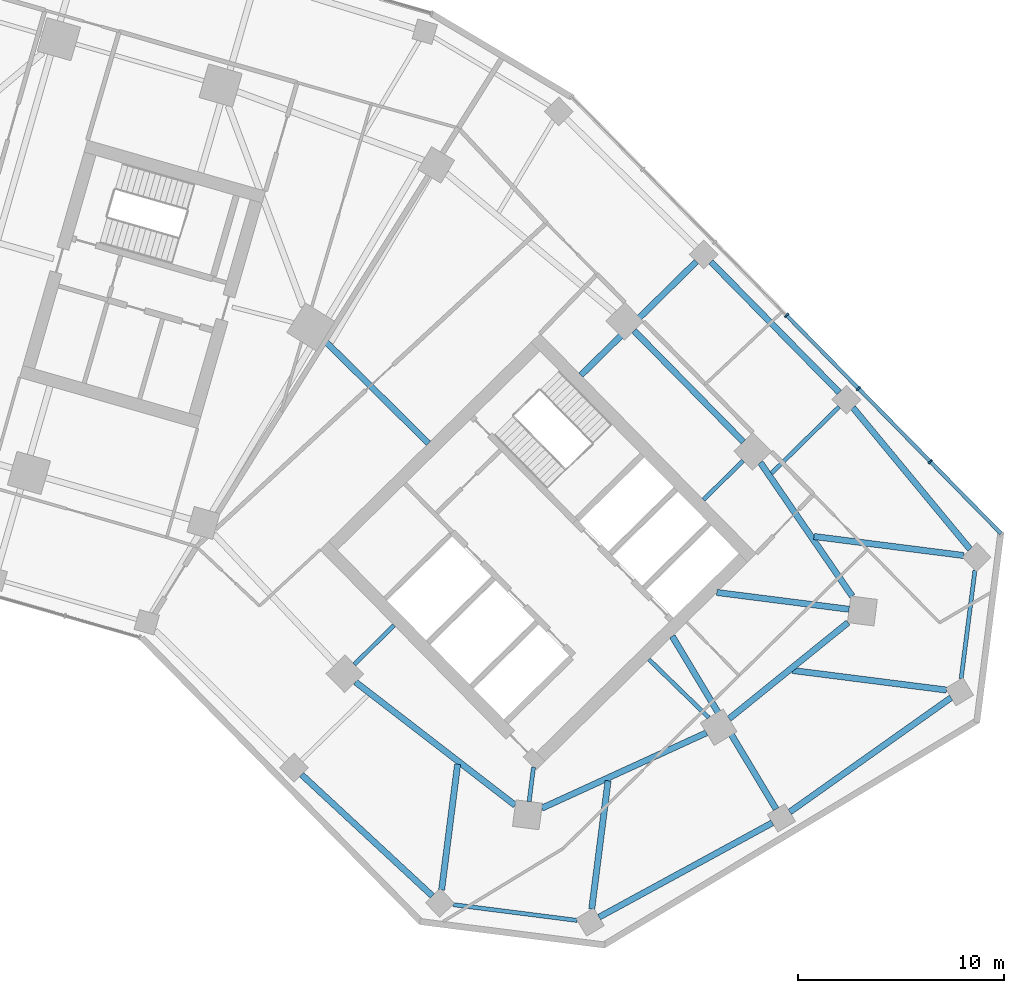
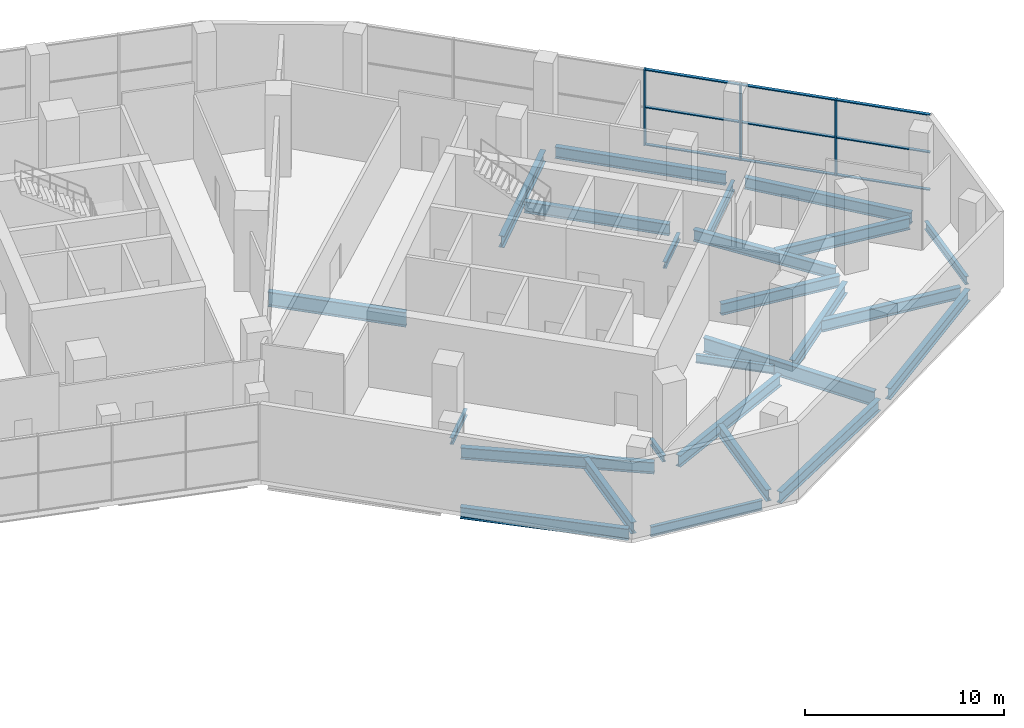
# One storey, part 6 of 18: 25 beams, 12 members, 1 element without a shape of its own.
"""IFC4 building model written with IfcOpenShell, lengths in metres."""

from ifc_helpers import new_model, si_unit, direction, frame, origin, origin_2d, place, context, subcontext, project, spatial, rectangle, i_section, extrude, material, material_profile, profile_set, type_object, element, aggregate, save


model = new_model("IFC4")

# Units and contexts
model_context = context("Model", 3, precision=1e-05, world=origin(), true_north=direction((0.0, 1.0)))
body_context = subcontext(model_context, "Body", "Model", "MODEL_VIEW")
ifc_project = project(units=[si_unit("LENGTHUNIT", "METRE"), si_unit("AREAUNIT", "SQUARE_METRE"), si_unit("VOLUMEUNIT", "CUBIC_METRE"), si_unit("PLANEANGLEUNIT", "RADIAN"), si_unit("MASSUNIT", "GRAM", prefix="KILO")], contexts=[model_context])

# Site, building, storey
site_placement = place(None, origin())
site = spatial("IfcSite", under=ifc_project, at=site_placement, CompositionType="ELEMENT")
building_placement = place(site_placement, origin())
building = spatial("IfcBuilding", under=site, at=building_placement, Name="Binnacle Exchange Tower", CompositionType="ELEMENT")
storey_placement = place(building_placement, frame((0.0, 0.0, 11.5)))
storey = spatial("IfcBuildingStorey", under=building, at=storey_placement, Name="L02", CompositionType="ELEMENT", Elevation=11.5)

# Curtain wall, members
ifc_material_1 = material(Name="Bronze anodised aluminium frame", Category="aluminium")
curtain_wall_type = type_object("IfcCurtainWallType", Name="External wall - curtain wall north entrance", PredefinedType="NOTDEFINED", material=ifc_material_1)
curtain_wall_placement = place(storey_placement, origin())
curtain_wall = element("IfcCurtainWall", 1, at=curtain_wall_placement, inside=storey, type_object=curtain_wall_type, Name="External wall curtain wall CW2-P12 L02", PredefinedType="NOTDEFINED")
ifc_material_profile_1 = material_profile(ifc_material_1, rectangle(XDim=0.25, YDim=0.080078125, at=origin_2d()), Name="AL 80x250")
ifc_profile_set_1 = profile_set([ifc_material_profile_1], Name="Bronze anodised aluminium frame")
member_type_1 = type_object("IfcMemberType", Name="CW2 MULLION 80x250", PredefinedType="MULLION", material=ifc_profile_set_1)
member_1_placement = place(storey_placement, frame((61.101318359375, 44.841796875, 0.0), z_axis=(0.0, 0.0, 1.0), x_axis=(-0.713250360623, -0.70090935439, 0.0)))
member_1 = element("IfcMember", 2, at=member_1_placement, type_object=member_type_1, Name="CW2-P12 mullion 2", PredefinedType="MULLION", context=body_context, shape_type="SweptSolid", body=[
    extrude(rectangle(XDim=0.25, YDim=0.080078125, at=origin_2d()), origin(), (0.0, 0.0, 1.0), 4.64990234375),
])
member_2_placement = place(storey_placement, frame((57.609130859375, 48.3955078125, 0.0), z_axis=(0.0, 0.0, 1.0), x_axis=(-0.713250360623, -0.70090935439, 0.0)))
member_2 = element("IfcMember", 3, at=member_2_placement, type_object=member_type_1, Name="CW2-P12 mullion 3", PredefinedType="MULLION", context=body_context, shape_type="SweptSolid", body=[
    extrude(rectangle(XDim=0.25, YDim=0.080078125, at=origin_2d()), origin(), (0.0, 0.0, 1.0), 4.64990234375),
])
member_3_placement = place(storey_placement, frame((54.11669921875, 51.949462890625, 0.0), z_axis=(0.0, 0.0, 1.0), x_axis=(-0.713250360623, -0.70090935439, 0.0)))
member_3 = element("IfcMember", 4, at=member_3_placement, type_object=member_type_1, Name="CW2-P12 mullion 4", PredefinedType="MULLION", context=body_context, shape_type="SweptSolid", body=[
    extrude(rectangle(XDim=0.25, YDim=0.080078125, at=origin_2d()), origin(), (0.0, 0.0, 1.0), 4.64990234375),
])
ifc_material_profile_2 = material_profile(ifc_material_1, rectangle(XDim=0.179931640625, YDim=0.06005859375, at=origin_2d()), Name="AL 180x60")
ifc_profile_set_2 = profile_set([ifc_material_profile_2], Name="Bronze anodised aluminium frame")
member_type_2 = type_object("IfcMemberType", Name="CW2 TRANSOM 60x180", PredefinedType="USERDEFINED", material=ifc_profile_set_2)
member_4_placement = place(storey_placement, frame((64.53759765625, 41.344970703125, 0.030029296875), z_axis=(-0.700904224311, 0.713255401903, 0.0), x_axis=(-0.713255401903, -0.700904224311, 0.0)))
member_4 = element("IfcMember", 5, at=member_4_placement, type_object=member_type_2, Name="CW2-P12 transom 1.1", ObjectType="TRANSOM", PredefinedType="USERDEFINED", context=body_context, shape_type="SweptSolid", body=[
    extrude(rectangle(XDim=0.179931640625, YDim=0.06005859375, at=origin_2d()), origin(), (0.0, 0.0, 1.0), 4.862548828125),
])
member_5_placement = place(storey_placement, frame((64.53759765625, 41.344970703125, 2.324951171875), z_axis=(-0.700904224311, 0.713255401903, 0.0), x_axis=(-0.713255401903, -0.700904224311, 0.0)))
member_5 = element("IfcMember", 6, at=member_5_placement, type_object=member_type_2, Name="CW2-P12 transom 1.2", ObjectType="TRANSOM", PredefinedType="USERDEFINED", context=body_context, shape_type="SweptSolid", body=[
    extrude(rectangle(XDim=0.179931640625, YDim=0.06005859375, at=origin_2d()), origin(), (0.0, 0.0, 1.0), 4.862548828125),
])
member_6_placement = place(storey_placement, frame((64.53759765625, 41.344970703125, 4.6201171875), z_axis=(-0.700904224311, 0.713255401903, 0.0), x_axis=(-0.713255401903, -0.700904224311, 0.0)))
member_6 = element("IfcMember", 7, at=member_6_placement, type_object=member_type_2, Name="CW2-P12 transom 1.3", ObjectType="TRANSOM", PredefinedType="USERDEFINED", context=body_context, shape_type="SweptSolid", body=[
    extrude(rectangle(XDim=0.179931640625, YDim=0.06005859375, at=origin_2d()), origin(), (0.0, 0.0, 1.0), 4.862548828125),
])
member_7_placement = place(storey_placement, frame((61.0732421875, 44.870361328125, 0.030029296875), z_axis=(-0.700904445458, 0.713255184585, 0.0), x_axis=(-0.713255184585, -0.700904445458, 0.0)))
member_7 = element("IfcMember", 8, at=member_7_placement, type_object=member_type_2, Name="CW2-P12 transom 2.1", ObjectType="TRANSOM", PredefinedType="USERDEFINED", context=body_context, shape_type="SweptSolid", body=[
    extrude(rectangle(XDim=0.179931640625, YDim=0.06005859375, at=origin_2d()), origin(), (0.0, 0.0, 1.0), 4.90234375),
])
member_8_placement = place(storey_placement, frame((61.0732421875, 44.870361328125, 2.324951171875), z_axis=(-0.700904445458, 0.713255184585, 0.0), x_axis=(-0.713255184585, -0.700904445458, 0.0)))
member_8 = element("IfcMember", 9, at=member_8_placement, type_object=member_type_2, Name="CW2-P12 transom 2.2", ObjectType="TRANSOM", PredefinedType="USERDEFINED", context=body_context, shape_type="SweptSolid", body=[
    extrude(rectangle(XDim=0.179931640625, YDim=0.06005859375, at=origin_2d()), origin(), (0.0, 0.0, 1.0), 4.90234375),
])
member_9_placement = place(storey_placement, frame((61.0732421875, 44.870361328125, 4.6201171875), z_axis=(-0.700904445458, 0.713255184585, 0.0), x_axis=(-0.713255184585, -0.700904445458, 0.0)))
member_9 = element("IfcMember", 10, at=member_9_placement, type_object=member_type_2, Name="CW2-P12 transom 2.3", ObjectType="TRANSOM", PredefinedType="USERDEFINED", context=body_context, shape_type="SweptSolid", body=[
    extrude(rectangle(XDim=0.179931640625, YDim=0.06005859375, at=origin_2d()), origin(), (0.0, 0.0, 1.0), 4.90234375),
])
member_10_placement = place(storey_placement, frame((57.5810546875, 48.424072265625, 0.030029296875), z_axis=(-0.700904884139, 0.7132547535, 0.0), x_axis=(-0.7132547535, -0.700904884139, 0.0)))
member_10 = element("IfcMember", 11, at=member_10_placement, type_object=member_type_2, Name="CW2-P12 transom 3.1", ObjectType="TRANSOM", PredefinedType="USERDEFINED", context=body_context, shape_type="SweptSolid", body=[
    extrude(rectangle(XDim=0.179931640625, YDim=0.06005859375, at=origin_2d()), origin(), (0.0, 0.0, 1.0), 4.902587890625),
])
member_11_placement = place(storey_placement, frame((57.5810546875, 48.424072265625, 2.324951171875), z_axis=(-0.700904884139, 0.7132547535, 0.0), x_axis=(-0.7132547535, -0.700904884139, 0.0)))
member_11 = element("IfcMember", 12, at=member_11_placement, type_object=member_type_2, Name="CW2-P12 transom 3.2", ObjectType="TRANSOM", PredefinedType="USERDEFINED", context=body_context, shape_type="SweptSolid", body=[
    extrude(rectangle(XDim=0.179931640625, YDim=0.06005859375, at=origin_2d()), origin(), (0.0, 0.0, 1.0), 4.902587890625),
])
member_12_placement = place(storey_placement, frame((57.5810546875, 48.424072265625, 4.6201171875), z_axis=(-0.700904884139, 0.7132547535, 0.0), x_axis=(-0.7132547535, -0.700904884139, 0.0)))
member_12 = element("IfcMember", 13, at=member_12_placement, type_object=member_type_2, Name="CW2-P12 transom 3.3", ObjectType="TRANSOM", PredefinedType="USERDEFINED", context=body_context, shape_type="SweptSolid", body=[
    extrude(rectangle(XDim=0.179931640625, YDim=0.06005859375, at=origin_2d()), origin(), (0.0, 0.0, 1.0), 4.902587890625),
])
aggregate(curtain_wall, [member_1, member_2, member_3, member_4, member_5, member_6, member_7, member_8, member_9, member_10, member_11, member_12])

# Beams
ifc_material_2 = material(Name="Steel S355 (SHN355)", Category="steel")
ifc_material_profile_3 = material_profile(ifc_material_2, i_section(OverallWidth=0.200927734375, OverallDepth=0.506103515625, WebThickness=0.010986328125, FlangeThickness=0.01904296875, FilletRadius=0.02001953125, at=origin_2d()), Name="H 506x201x11x19")
ifc_profile_set_3 = profile_set([ifc_material_profile_3], Name="Steel S355 (SHN355)")
beam_type_1 = type_object("IfcBeamType", Name="Edge girder H 506x201x11x19 Steel S355 (SHN355)", PredefinedType="SPANDREL", material=ifc_profile_set_3)
beam_1_placement = place(storey_placement, frame((63.271728515625, 39.56591796875, -0.60302734375), z_axis=(-0.126220609822, -0.992002196397, 0.0), x_axis=(0.992002196397, -0.126220609822, 0.0)))
element("IfcBeam", 14, at=beam_1_placement, inside=storey, type_object=beam_type_1, Name="S:BM:edge:L02:075", PredefinedType="SPANDREL", context=body_context, shape_type="SweptSolid", body=[
    extrude(i_section(OverallWidth=0.200927734375, OverallDepth=0.506103515625, WebThickness=0.010986328125, FlangeThickness=0.01904296875, FilletRadius=0.02001953125, at=origin_2d()), origin(), (0.0, 0.0, 1.0), 5.319091796875),
])
ifc_material_profile_4 = material_profile(ifc_material_2, i_section(OverallWidth=0.200927734375, OverallDepth=0.60595703125, WebThickness=0.011962890625, FlangeThickness=0.02001953125, FilletRadius=0.02197265625, at=origin_2d()), Name="H 606x201x12x20")
ifc_profile_set_4 = profile_set([ifc_material_profile_4], Name="Steel S355 (SHN355)")
beam_type_2 = type_object("IfcBeamType", Name="Edge girder H 606x201x12x20 Steel S355 (SHN355)", PredefinedType="SPANDREL", material=ifc_profile_set_4)
beam_2_placement = place(storey_placement, frame((43.931884765625, 22.540283203125, -0.653076171875), z_axis=(-0.992003760978, 0.126208312743, 0.0), x_axis=(-0.126208312743, -0.992003760978, 0.0)))
element("IfcBeam", 15, at=beam_2_placement, inside=storey, type_object=beam_type_2, Name="S:BM:edge:L02:066", PredefinedType="SPANDREL", context=body_context, shape_type="SweptSolid", body=[
    extrude(i_section(OverallWidth=0.200927734375, OverallDepth=0.60595703125, WebThickness=0.011962890625, FlangeThickness=0.02001953125, FilletRadius=0.02197265625, at=origin_2d()), origin(), (0.0, 0.0, 1.0), 6.081787109375),
])
ifc_material_profile_5 = material_profile(ifc_material_2, i_section(OverallWidth=0.300048828125, OverallDepth=0.699951171875, WebThickness=0.012939453125, FlangeThickness=0.02392578125, FilletRadius=0.028076171875, at=origin_2d()), Name="H 700x300x13x24")
ifc_profile_set_5 = profile_set([ifc_material_profile_5], Name="Steel S355 (SHN355)")
beam_type_3 = type_object("IfcBeamType", Name="Edge girder H 700x300x13x24 Steel S355 (SHN355)", PredefinedType="SPANDREL", material=ifc_profile_set_5)
beam_3_placement = place(storey_placement, frame((36.89990234375, 23.728515625, -0.699951171875), z_axis=(-0.733314595009, 0.679889479803, 0.0), x_axis=(-0.679889479803, -0.733314595009, 0.0)))
element("IfcBeam", 16, at=beam_3_placement, inside=storey, type_object=beam_type_3, Name="S:BM:edge:L02:062", PredefinedType="SPANDREL", context=body_context, shape_type="SweptSolid", body=[
    extrude(i_section(OverallWidth=0.300048828125, OverallDepth=0.699951171875, WebThickness=0.012939453125, FlangeThickness=0.02392578125, FilletRadius=0.028076171875, at=origin_2d()), origin(), (0.0, 0.0, 1.0), 8.67333984375),
])
beam_4_placement = place(storey_placement, frame((42.215576171875, 27.99365234375, -0.699951171875), z_axis=(0.909179052108, 0.416405392866, 0.0), x_axis=(-0.416405392866, 0.909179052108, 0.0)))
element("IfcBeam", 17, at=beam_4_placement, inside=storey, type_object=beam_type_3, Name="S:BM:edge:L02:064", PredefinedType="SPANDREL", context=body_context, shape_type="SweptSolid", body=[
    extrude(i_section(OverallWidth=0.300048828125, OverallDepth=0.699951171875, WebThickness=0.012939453125, FlangeThickness=0.02392578125, FilletRadius=0.028076171875, at=origin_2d()), origin(), (0.0, 0.0, 1.0), 8.801025390625),
])
beam_5_placement = place(storey_placement, frame((50.436279296875, 54.553466796875, -0.699951171875), z_axis=(0.700891088092, -0.713268310408, 0.0), x_axis=(0.713268310408, 0.700891088092, 0.0)))
element("IfcBeam", 18, at=beam_5_placement, inside=storey, type_object=beam_type_3, Name="S:BM:edge:L02:068", PredefinedType="SPANDREL", context=body_context, shape_type="SweptSolid", body=[
    extrude(i_section(OverallWidth=0.300048828125, OverallDepth=0.699951171875, WebThickness=0.012939453125, FlangeThickness=0.02392578125, FilletRadius=0.028076171875, at=origin_2d()), origin(), (0.0, 0.0, 1.0), 8.89599609375),
])
beam_6_placement = place(storey_placement, frame((52.010986328125, 45.802978515625, -0.699951171875), z_axis=(-0.700905226564, 0.713254417004, 0.0), x_axis=(-0.713254417004, -0.700905226564, 0.0)))
element("IfcBeam", 19, at=beam_6_placement, inside=storey, type_object=beam_type_3, Name="S:BM:edge:L02:070", PredefinedType="SPANDREL", context=body_context, shape_type="SweptSolid", body=[
    extrude(i_section(OverallWidth=0.300048828125, OverallDepth=0.699951171875, WebThickness=0.012939453125, FlangeThickness=0.02392578125, FilletRadius=0.028076171875, at=origin_2d()), origin(), (0.0, 0.0, 1.0), 7.57177734375),
])
beam_7_placement = place(storey_placement, frame((53.42431640625, 27.28369140625, -0.699951171875), z_axis=(-0.878284521439, -0.478138368468, 0.0), x_axis=(0.478138368468, -0.878284521439, 0.0)))
element("IfcBeam", 20, at=beam_7_placement, inside=storey, type_object=beam_type_3, Name="S:BM:edge:L02:071", PredefinedType="SPANDREL", context=body_context, shape_type="SweptSolid", body=[
    extrude(i_section(OverallWidth=0.300048828125, OverallDepth=0.699951171875, WebThickness=0.012939453125, FlangeThickness=0.02392578125, FilletRadius=0.028076171875, at=origin_2d()), origin(), (0.0, 0.0, 1.0), 9.588134765625),
])
beam_8_placement = place(storey_placement, frame((57.341796875, 47.46484375, -0.699951171875), z_axis=(0.63729683622, -0.770618415653, 0.0), x_axis=(0.770618415653, 0.63729683622, 0.0)))
element("IfcBeam", 21, at=beam_8_placement, inside=storey, type_object=beam_type_3, Name="S:BM:edge:L02:073", PredefinedType="SPANDREL", context=body_context, shape_type="SweptSolid", body=[
    extrude(i_section(OverallWidth=0.300048828125, OverallDepth=0.699951171875, WebThickness=0.012939453125, FlangeThickness=0.02392578125, FilletRadius=0.028076171875, at=origin_2d()), origin(), (0.0, 0.0, 1.0), 8.928955078125),
])
beam_9_placement = place(storey_placement, frame((62.111083984375, 33.36767578125, -0.699951171875), z_axis=(-0.815901600123, -0.578190780726, 0.0), x_axis=(0.578190780726, -0.815901600123, 0.0)))
element("IfcBeam", 22, at=beam_9_placement, inside=storey, type_object=beam_type_3, Name="S:BM:edge:L02:074", PredefinedType="SPANDREL", context=body_context, shape_type="SweptSolid", body=[
    extrude(i_section(OverallWidth=0.300048828125, OverallDepth=0.699951171875, WebThickness=0.012939453125, FlangeThickness=0.02392578125, FilletRadius=0.028076171875, at=origin_2d()), origin(), (0.0, 0.0, 1.0), 9.60693359375),
])
ifc_material_profile_6 = material_profile(ifc_material_2, i_section(OverallWidth=0.302001953125, OverallDepth=0.7080078125, WebThickness=0.014892578125, FlangeThickness=0.028076171875, FilletRadius=0.028076171875, at=origin_2d()), Name="H 708x302x15x28")
ifc_profile_set_6 = profile_set([ifc_material_profile_6], Name="Steel S355 (SHN355)")
beam_type_4 = type_object("IfcBeamType", Name="Edge girder H 708x302x15x28 Steel S355 (SHN355)", PredefinedType="SPANDREL", material=ifc_profile_set_6)
beam_10_placement = place(storey_placement, frame((33.160400390625, 34.12890625, -0.7041015625), z_axis=(0.791533490776, -0.611125791454, 0.0), x_axis=(0.611125791454, 0.791533490776, 0.0)))
element("IfcBeam", 23, at=beam_10_placement, inside=storey, type_object=beam_type_4, Name="S:BM:edge:L02:060", PredefinedType="SPANDREL", context=body_context, shape_type="SweptSolid", body=[
    extrude(i_section(OverallWidth=0.302001953125, OverallDepth=0.7080078125, WebThickness=0.014892578125, FlangeThickness=0.028076171875, FilletRadius=0.028076171875, at=origin_2d()), origin(), (0.0, 0.0, 1.0), 9.80712890625),
])
beam_11_placement = place(storey_placement, frame((51.322265625, 32.343505859375, -0.7041015625), z_axis=(0.777568489665, 0.628798253719, 0.0), x_axis=(-0.628798253719, 0.777568489665, 0.0)))
element("IfcBeam", 24, at=beam_11_placement, inside=storey, type_object=beam_type_4, Name="S:BM:edge:L02:069", PredefinedType="SPANDREL", context=body_context, shape_type="SweptSolid", body=[
    extrude(i_section(OverallWidth=0.302001953125, OverallDepth=0.7080078125, WebThickness=0.014892578125, FlangeThickness=0.028076171875, FilletRadius=0.028076171875, at=origin_2d()), origin(), (0.0, 0.0, 1.0), 7.428955078125),
])
beam_12_placement = place(storey_placement, frame((57.305419921875, 38.299072265625, -0.7041015625), z_axis=(-0.566409202341, 0.82412415054, 0.0), x_axis=(-0.82412415054, -0.566409202341, 0.0)))
element("IfcBeam", 25, at=beam_12_placement, inside=storey, type_object=beam_type_4, Name="S:BM:edge:L02:072", PredefinedType="SPANDREL", context=body_context, shape_type="SweptSolid", body=[
    extrude(i_section(OverallWidth=0.302001953125, OverallDepth=0.7080078125, WebThickness=0.014892578125, FlangeThickness=0.028076171875, FilletRadius=0.028076171875, at=origin_2d()), origin(), (0.0, 0.0, 1.0), 7.8828125),
])
ifc_material_profile_7 = material_profile(ifc_material_2, i_section(OverallWidth=0.199951171875, OverallDepth=0.39990234375, WebThickness=0.008056640625, FlangeThickness=0.012939453125, FilletRadius=0.01611328125, at=origin_2d()), Name="H 400x200x8x13")
ifc_profile_set_7 = profile_set([ifc_material_profile_7], Name="Steel S355 (SHN355)")
beam_type_5 = type_object("IfcBeamType", Name="Floor beam H 400x200x8x13 Steel S355 (SHN355)", PredefinedType="BEAM", material=ifc_profile_set_7)
beam_13_placement = place(storey_placement, frame((33.104736328125, 34.985595703125, -0.550048828125), z_axis=(0.713254209224, 0.700905438004, 0.0), x_axis=(-0.700905438004, 0.713254209224, 0.0)))
element("IfcBeam", 26, at=beam_13_placement, inside=storey, type_object=beam_type_5, Name="S:BM:cross:L02:114", PredefinedType="BEAM", context=body_context, shape_type="SweptSolid", body=[
    extrude(i_section(OverallWidth=0.199951171875, OverallDepth=0.39990234375, WebThickness=0.008056640625, FlangeThickness=0.012939453125, FilletRadius=0.01611328125, at=origin_2d()), origin(), (0.0, 0.0, 1.0), 2.70849609375),
])
beam_14_placement = place(storey_placement, frame((41.601806640625, 28.319580078125, -0.550048828125), z_axis=(0.126197116971, 0.992005185303, 0.0), x_axis=(-0.992005185303, 0.126197116971, 0.0)))
element("IfcBeam", 27, at=beam_14_placement, inside=storey, type_object=beam_type_5, Name="S:BM:cross:L02:118", PredefinedType="BEAM", context=body_context, shape_type="SweptSolid", body=[
    extrude(i_section(OverallWidth=0.199951171875, OverallDepth=0.39990234375, WebThickness=0.008056640625, FlangeThickness=0.012939453125, FilletRadius=0.01611328125, at=origin_2d()), origin(), (0.0, 0.0, 1.0), 1.68115234375),
])
beam_15_placement = place(storey_placement, frame((52.003173828125, 44.8837890625, -0.550048828125), z_axis=(-0.713254209224, -0.700905438004, 0.0), x_axis=(0.700905438004, -0.713254209224, 0.0)))
element("IfcBeam", 28, at=beam_15_placement, inside=storey, type_object=beam_type_5, Name="S:BM:cross:L02:122", PredefinedType="BEAM", context=body_context, shape_type="SweptSolid", body=[
    extrude(i_section(OverallWidth=0.199951171875, OverallDepth=0.39990234375, WebThickness=0.008056640625, FlangeThickness=0.012939453125, FilletRadius=0.01611328125, at=origin_2d()), origin(), (0.0, 0.0, 1.0), 2.70849609375),
])
ifc_material_profile_8 = material_profile(ifc_material_2, i_section(OverallWidth=0.199951171875, OverallDepth=0.60009765625, WebThickness=0.010986328125, FlangeThickness=0.01708984375, FilletRadius=0.02197265625, at=origin_2d()), Name="H 600x200x11x17")
ifc_profile_set_8 = profile_set([ifc_material_profile_8], Name="Steel S355 (SHN355)")
beam_type_6 = type_object("IfcBeamType", Name="Floor beam H 600x200x11x17 Steel S355 (SHN355)", PredefinedType="BEAM", material=ifc_profile_set_8)
beam_16_placement = place(storey_placement, frame((56.665283203125, 47.501220703125, -0.64990234375), z_axis=(-0.713253693622, -0.70090596269, 0.0), x_axis=(0.70090596269, -0.713253693622, 0.0)))
element("IfcBeam", 29, at=beam_16_placement, inside=storey, type_object=beam_type_6, Name="S:BM:cross:L02:124", PredefinedType="BEAM", context=body_context, shape_type="SweptSolid", body=[
    extrude(i_section(OverallWidth=0.199951171875, OverallDepth=0.60009765625, WebThickness=0.010986328125, FlangeThickness=0.01708984375, FilletRadius=0.02197265625, at=origin_2d()), origin(), (0.0, 0.0, 1.0), 4.60693359375),
])
ifc_material_profile_9 = material_profile(ifc_material_2, i_section(OverallWidth=0.300048828125, OverallDepth=0.699951171875, WebThickness=0.012939453125, FlangeThickness=0.02392578125, FilletRadius=0.028076171875, at=origin_2d()), Name="H 700x300x13x24")
ifc_profile_set_9 = profile_set([ifc_material_profile_9], Name="Steel S355 (SHN355)")
beam_type_7 = type_object("IfcBeamType", Name="Floor beam H 700x300x13x24 Steel S355 (SHN355)", PredefinedType="BEAM", material=ifc_profile_set_9)
beam_17_placement = place(storey_placement, frame((37.347412109375, 24.019775390625, -0.699951171875), z_axis=(0.126189771205, 0.992006119761, 0.0), x_axis=(-0.992006119761, 0.126189771205, 0.0)))
element("IfcBeam", 30, at=beam_17_placement, inside=storey, type_object=beam_type_7, Name="S:BM:cross:L02:117", PredefinedType="BEAM", context=body_context, shape_type="SweptSolid", body=[
    extrude(i_section(OverallWidth=0.300048828125, OverallDepth=0.699951171875, WebThickness=0.012939453125, FlangeThickness=0.02392578125, FilletRadius=0.028076171875, at=origin_2d()), origin(), (0.0, 0.0, 1.0), 6.162109375),
])
beam_18_placement = place(storey_placement, frame((44.643798828125, 23.091552734375, -0.699951171875), z_axis=(0.126227881038, 0.992001271193, 0.0), x_axis=(-0.992001271193, 0.126227881038, 0.0)))
element("IfcBeam", 31, at=beam_18_placement, inside=storey, type_object=beam_type_7, Name="S:BM:cross:L02:120", PredefinedType="BEAM", context=body_context, shape_type="SweptSolid", body=[
    extrude(i_section(OverallWidth=0.300048828125, OverallDepth=0.699951171875, WebThickness=0.012939453125, FlangeThickness=0.02392578125, FilletRadius=0.028076171875, at=origin_2d()), origin(), (0.0, 0.0, 1.0), 6.287841796875),
])
beam_19_placement = place(storey_placement, frame((57.154296875, 37.6630859375, -0.699951171875), z_axis=(-0.992006658356, 0.126185537116, 0.0), x_axis=(-0.126185537116, -0.992006658356, 0.0)))
element("IfcBeam", 32, at=beam_19_placement, inside=storey, type_object=beam_type_7, Name="S:BM:cross:L02:125", PredefinedType="BEAM", context=body_context, shape_type="SweptSolid", body=[
    extrude(i_section(OverallWidth=0.300048828125, OverallDepth=0.699951171875, WebThickness=0.012939453125, FlangeThickness=0.02392578125, FilletRadius=0.028076171875, at=origin_2d()), origin(), (0.0, 0.0, 1.0), 6.4814453125),
])
ifc_material_profile_10 = material_profile(ifc_material_2, i_section(OverallWidth=0.302001953125, OverallDepth=0.7080078125, WebThickness=0.014892578125, FlangeThickness=0.028076171875, FilletRadius=0.028076171875, at=origin_2d()), Name="H 708x302x15x28")
ifc_profile_set_10 = profile_set([ifc_material_profile_10], Name="Steel S355 (SHN355)")
beam_type_8 = type_object("IfcBeamType", Name="Floor beam H 708x302x15x28 Steel S355 (SHN355)", PredefinedType="BEAM", material=ifc_profile_set_10)
beam_20_placement = place(storey_placement, frame((49.72900390625, 54.5595703125, -0.7041015625), z_axis=(-0.713254513072, -0.700905128803, 0.0), x_axis=(0.700905128803, -0.713254513072, 0.0)))
element("IfcBeam", 33, at=beam_20_placement, inside=storey, type_object=beam_type_8, Name="S:BM:cross:L02:121", PredefinedType="BEAM", context=body_context, shape_type="SweptSolid", body=[
    extrude(i_section(OverallWidth=0.302001953125, OverallDepth=0.7080078125, WebThickness=0.014892578125, FlangeThickness=0.028076171875, FilletRadius=0.028076171875, at=origin_2d()), origin(), (0.0, 0.0, 1.0), 7.8681640625),
])
beam_21_placement = place(storey_placement, frame((61.888427734375, 33.73779296875, -0.7041015625), z_axis=(-0.992002917096, 0.12621494552, 0.0), x_axis=(-0.12621494552, -0.992002917096, 0.0)))
element("IfcBeam", 34, at=beam_21_placement, inside=storey, type_object=beam_type_8, Name="S:BM:cross:L02:126", PredefinedType="BEAM", context=body_context, shape_type="SweptSolid", body=[
    extrude(i_section(OverallWidth=0.302001953125, OverallDepth=0.7080078125, WebThickness=0.014892578125, FlangeThickness=0.028076171875, FilletRadius=0.028076171875, at=origin_2d()), origin(), (0.0, 0.0, 1.0), 7.551513671875),
])
beam_22_placement = place(storey_placement, frame((62.720458984375, 40.277587890625, -0.7041015625), z_axis=(-0.992000413131, 0.126234624202, 0.0), x_axis=(-0.126234624202, -0.992000413131, 0.0)))
element("IfcBeam", 35, at=beam_22_placement, inside=storey, type_object=beam_type_8, Name="S:BM:cross:L02:127", PredefinedType="BEAM", context=body_context, shape_type="SweptSolid", body=[
    extrude(i_section(OverallWidth=0.302001953125, OverallDepth=0.7080078125, WebThickness=0.014892578125, FlangeThickness=0.028076171875, FilletRadius=0.028076171875, at=origin_2d()), origin(), (0.0, 0.0, 1.0), 7.333740234375),
])
ifc_material_profile_11 = material_profile(ifc_material_2, i_section(OverallWidth=0.302001953125, OverallDepth=0.912109375, WebThickness=0.01806640625, FlangeThickness=0.033935546875, FilletRadius=0.028076171875, at=origin_2d()), Name="H 912x302x18x34")
ifc_profile_set_11 = profile_set([ifc_material_profile_11], Name="Steel S355 (SHN355)")
beam_type_9 = type_object("IfcBeamType", Name="Floor beam H 912x302x18x34 Steel S355 (SHN355)", PredefinedType="BEAM", material=ifc_profile_set_11)
beam_23_placement = place(storey_placement, frame((53.606201171875, 27.95166015625, -0.805908203125), z_axis=(-0.515037836235, 0.857167444112, 0.0), x_axis=(-0.857167444112, -0.515037836235, 0.0)))
element("IfcBeam", 36, at=beam_23_placement, inside=storey, type_object=beam_type_9, Name="S:BM:cross:L02:123", PredefinedType="BEAM", context=body_context, shape_type="SweptSolid", body=[
    extrude(i_section(OverallWidth=0.302001953125, OverallDepth=0.912109375, WebThickness=0.01806640625, FlangeThickness=0.033935546875, FilletRadius=0.028076171875, at=origin_2d()), origin(), (0.0, 0.0, 1.0), 9.800537109375),
])
ifc_material_profile_12 = material_profile(ifc_material_2, i_section(OverallWidth=0.199951171875, OverallDepth=0.5, WebThickness=0.010009765625, FlangeThickness=0.01611328125, FilletRadius=0.02001953125, at=origin_2d()), Name="H 500x200x10x16")
ifc_profile_set_12 = profile_set([ifc_material_profile_12], Name="Steel S355 (SHN355)")
beam_type_10 = type_object("IfcBeamType", Name="Spine girder H 500x200x10x16 Steel S355 (SHN355)", PredefinedType="BEAM", material=ifc_profile_set_12)
beam_24_placement = place(storey_placement, frame((47.417236328125, 35.23095703125, -0.60009765625), z_axis=(0.717013275689, -0.697059511437, 0.0), x_axis=(0.697059511437, 0.717013275689, 0.0)))
element("IfcBeam", 37, at=beam_24_placement, inside=storey, type_object=beam_type_10, Name="S:BM:spine:L02:013", PredefinedType="BEAM", context=body_context, shape_type="SweptSolid", body=[
    extrude(i_section(OverallWidth=0.199951171875, OverallDepth=0.5, WebThickness=0.010009765625, FlangeThickness=0.01611328125, FilletRadius=0.02001953125, at=origin_2d()), origin(), (0.0, 0.0, 1.0), 4.06201171875),
])
ifc_material_profile_13 = material_profile(ifc_material_2, i_section(OverallWidth=0.300048828125, OverallDepth=0.89990234375, WebThickness=0.01611328125, FlangeThickness=0.028076171875, FilletRadius=0.028076171875, at=origin_2d()), Name="H 900x300x16x28")
ifc_profile_set_13 = profile_set([ifc_material_profile_13], Name="Steel S355 (SHN355)")
beam_type_11 = type_object("IfcBeamType", Name="Spine girder H 900x300x16x28 Steel S355 (SHN355)", PredefinedType="BEAM", material=ifc_profile_set_13)
beam_25_placement = place(storey_placement, frame((31.60888671875, 50.773681640625, -0.800048828125), z_axis=(0.711013452478, -0.703178405809, 0.0), x_axis=(0.703178405809, 0.711013452478, 0.0)))
element("IfcBeam", 38, at=beam_25_placement, inside=storey, type_object=beam_type_11, Name="S:BM:spine:L02:012", PredefinedType="BEAM", context=body_context, shape_type="SweptSolid", body=[
    extrude(i_section(OverallWidth=0.300048828125, OverallDepth=0.89990234375, WebThickness=0.01611328125, FlangeThickness=0.028076171875, FilletRadius=0.028076171875, at=origin_2d()), origin(), (0.0, 0.0, 1.0), 7.166748046875),
])

save(model, "model.ifc")
